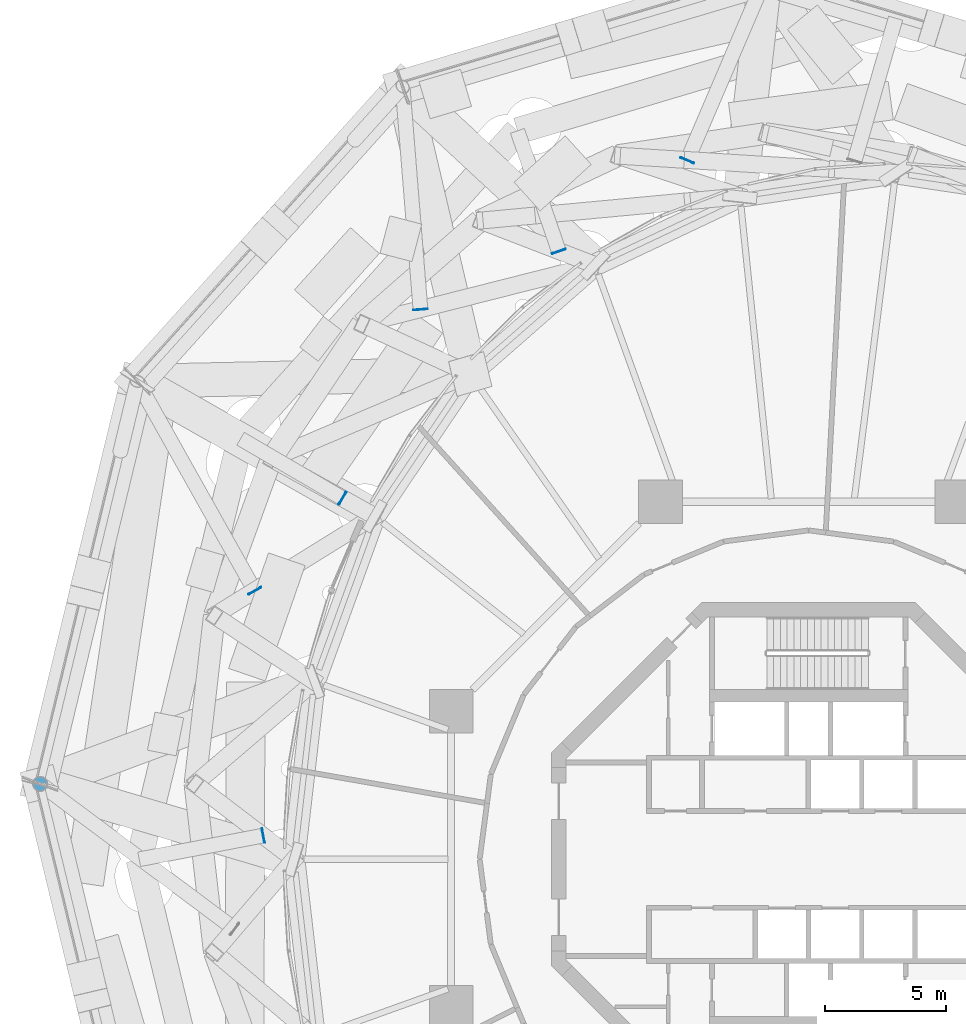
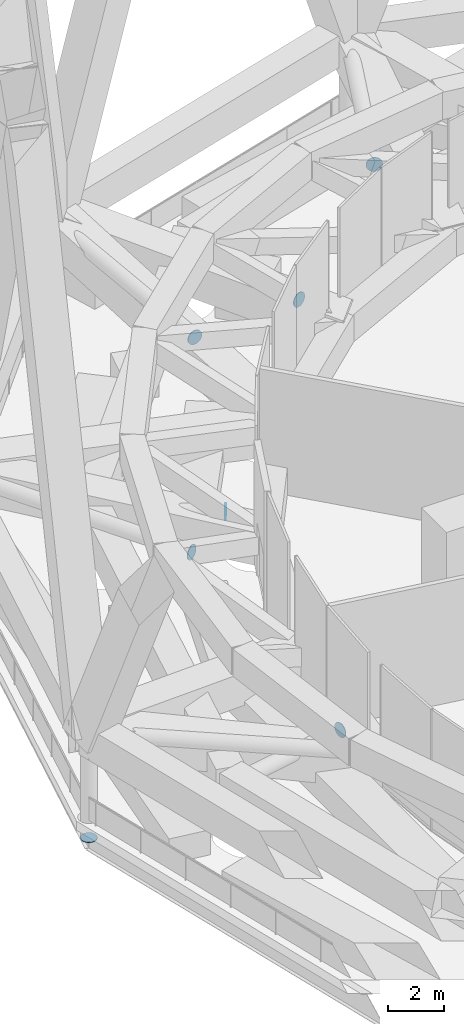
# One storey, part 56 of 60: 7 discrete accessories.
"""IFC4 building model written with IfcOpenShell, lengths in metres."""

from ifc_helpers import new_model, si_unit, direction, frame, origin, origin_2d, place, context, subcontext, project, spatial, circle, extrude, material, layer, layer_set, type_object, element, save


model = new_model("IFC4")

# Units and contexts
model_context = context("Model", 3, precision=1e-05, world=origin(), true_north=direction((0.0, 1.0)))
body_context = subcontext(model_context, "Body", "Model", "MODEL_VIEW")
ifc_project = project(units=[si_unit("LENGTHUNIT", "METRE"), si_unit("AREAUNIT", "SQUARE_METRE"), si_unit("VOLUMEUNIT", "CUBIC_METRE"), si_unit("PLANEANGLEUNIT", "RADIAN"), si_unit("MASSUNIT", "GRAM", prefix="KILO")], contexts=[model_context])

# Site, building, storey
site_placement = place(None, origin())
site = spatial("IfcSite", under=ifc_project, at=site_placement, CompositionType="ELEMENT")
building_placement = place(site_placement, origin())
building = spatial("IfcBuilding", under=site, at=building_placement, Name="Nagisa Residences", CompositionType="ELEMENT")
storey_placement = place(building_placement, frame((0.0, 0.0, 206.60009765625)))
storey = spatial("IfcBuildingStorey", under=building, at=storey_placement, Name="L52", CompositionType="ELEMENT", Elevation=206.60009765625)

# Discrete accessories
ifc_material_1 = material(Name="Steel ASTM A572 Gr 50", Category="steel")
ifc_layer_1 = layer(ifc_material_1, 0.030029296875)
ifc_layer_set_1 = layer_set([ifc_layer_1], Name="End plate")
discrete_accessory_type_1 = type_object("IfcDiscreteAccessoryType", Name="End plate", PredefinedType="ANCHORPLATE", material=ifc_layer_set_1)
discrete_accessory_1_placement = place(storey_placement, frame((-31.77001953125, 3.11767578125, -0.89013671875), z_axis=(0.0, 0.0, -1.0), x_axis=(1.0, 0.0, 0.0)))
element("IfcDiscreteAccessory", 1, at=discrete_accessory_1_placement, inside=storey, type_object=discrete_accessory_type_1, Name="End plate DH406", PredefinedType="ANCHORPLATE", context=body_context, shape_type="SweptSolid", body=[
    extrude(circle(Radius=0.304931640625, at=origin_2d()), origin(), (0.0, 0.0, 1.0), 0.030029296875),
])
ifc_material_2 = material(Name="Steel ASTM A572 Gr 50", Category="steel")
ifc_layer_2 = layer(ifc_material_2, 0.030029296875)
ifc_layer_set_2 = layer_set([ifc_layer_2], Name="Node plate")
discrete_accessory_type_2 = type_object("IfcDiscreteAccessoryType", Name="Node plate", PredefinedType="ANCHORPLATE", material=ifc_layer_set_2)
for number, where, z_axis, x_axis, name in (
    (2, (-10.328369140625, 25.148681640625, 1.89990234375), (0.325990683319, -0.945372981626, 0.0), (0.945372981626, 0.325990683319, 0.0), "Node plate ST4A05"),
    (3, (-19.283203125, 14.933349609375, 1.89990234375), (0.863187603129, -0.504883315038, 0.0), (0.504883315038, 0.863187603129, 0.0), "Node plate ST4A06"),
):
    element("IfcDiscreteAccessory", number, at=place(storey_placement, frame(where, z_axis=z_axis, x_axis=x_axis)), inside=storey, type_object=discrete_accessory_type_2, Name=name, PredefinedType="ANCHORPLATE", context=body_context, shape_type="SweptSolid", body=[
        extrude(circle(Radius=0.304931640625, at=origin_2d()), origin(), (0.0, 0.0, 1.0), 0.030029296875),
    ])
discrete_accessory_2_placement = place(storey_placement, frame((-22.560791015625, 0.97900390625, 1.89990234375), z_axis=(0.982123011927, 0.188240243953, 0.0), x_axis=(-0.188240243953, 0.982123011927, 0.0)))
element("IfcDiscreteAccessory", 4, at=discrete_accessory_2_placement, inside=storey, type_object=discrete_accessory_type_2, Name="Node plate ST4A07", PredefinedType="ANCHORPLATE", context=body_context, shape_type="SweptSolid", body=[
    extrude(circle(Radius=0.304931640625, at=origin_2d()), origin(), (0.0, 0.0, 1.0), 0.02978515625),
])
discrete_accessory_3_placement = place(storey_placement, frame((-5.011474609375, 28.911376953125, 3.699951171875), z_axis=(-0.39096815767, -0.920404204515, 0.0), x_axis=(0.920404204515, -0.39096815767, 0.0)))
element("IfcDiscreteAccessory", 5, at=discrete_accessory_3_placement, inside=storey, type_object=discrete_accessory_type_2, Name="Node plate ST5B04", PredefinedType="ANCHORPLATE", context=body_context, shape_type="SweptSolid", body=[
    extrude(circle(Radius=0.304931640625, at=origin_2d()), origin(), (0.0, 0.0, 1.0), 0.030029296875),
])
discrete_accessory_4_placement = place(storey_placement, frame((-16.047607421875, 22.7451171875, 3.699951171875), z_axis=(0.081693239445, -0.996657521232, 0.0), x_axis=(0.996657521232, 0.081693239445, 0.0)))
element("IfcDiscreteAccessory", 6, at=discrete_accessory_4_placement, inside=storey, type_object=discrete_accessory_type_2, Name="Node plate ST5B05", PredefinedType="ANCHORPLATE", context=body_context, shape_type="SweptSolid", body=[
    extrude(circle(Radius=0.304931640625, at=origin_2d()), origin(), (0.0, 0.0, 1.0), 0.02978515625),
])
discrete_accessory_5_placement = place(storey_placement, frame((-22.90283203125, 11.10986328125, 3.699951171875), z_axis=(0.489099736994, -0.872227864306, 0.0), x_axis=(0.872227864306, 0.489099736994, 0.0)))
element("IfcDiscreteAccessory", 7, at=discrete_accessory_5_placement, inside=storey, type_object=discrete_accessory_type_2, Name="Node plate ST5B06", PredefinedType="ANCHORPLATE", context=body_context, shape_type="SweptSolid", body=[
    extrude(circle(Radius=0.304931640625, at=origin_2d()), origin(), (0.0, 0.0, 1.0), 0.030029296875),
])

save(model, "model.ifc")
